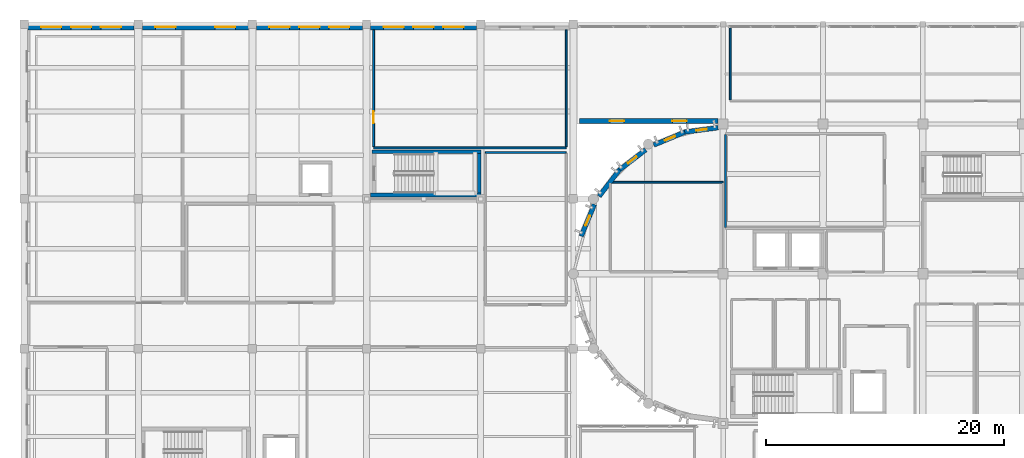
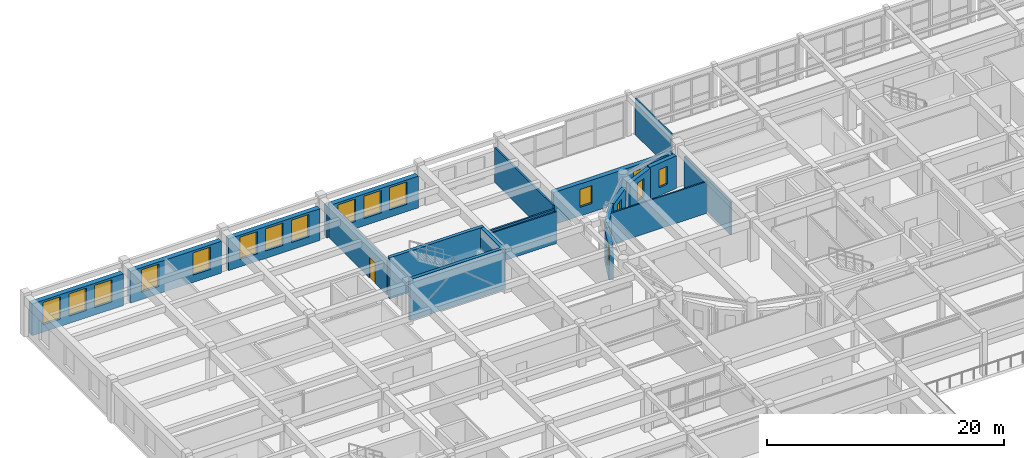
# One storey, part 68 of 92: 20 walls, 17 windows, 1 door, 18 openings.
"""IFC4 building model written with IfcOpenShell, lengths in metres."""

from ifc_helpers import new_model, si_unit, direction, frame, frame_2d, origin, place, context, subcontext, project, spatial, rectangle, extrude, material, layer, layer_set, type_object, element, fill, save


model = new_model("IFC4")

# Units and contexts
model_context = context("Model", 3, precision=1e-05, world=origin(), true_north=direction((0.0, 1.0)))
body_context = subcontext(model_context, "Body", "Model", "MODEL_VIEW")
ifc_project = project(units=[si_unit("LENGTHUNIT", "METRE"), si_unit("AREAUNIT", "SQUARE_METRE"), si_unit("VOLUMEUNIT", "CUBIC_METRE"), si_unit("PLANEANGLEUNIT", "RADIAN"), si_unit("MASSUNIT", "GRAM", prefix="KILO")], contexts=[model_context])

# Site, building, storey
site_placement = place(None, origin())
site = spatial("IfcSite", under=ifc_project, at=site_placement, CompositionType="ELEMENT")
building_placement = place(site_placement, origin())
building = spatial("IfcBuilding", under=site, at=building_placement, Name="Tarnavel Promenade Courthouse", CompositionType="ELEMENT")
storey_placement = place(building_placement, frame((0.0, 0.0, 5.39990234375)))
storey = spatial("IfcBuildingStorey", under=building, at=storey_placement, Name="L02", CompositionType="ELEMENT", Elevation=5.39990234375)

# Wall
ifc_material_1 = material(Name="Acoustic Insulated Gypsum Stud Partition", Category="gypsum")
ifc_layer_1 = layer(ifc_material_1, 0.1650390625)
ifc_layer_set_1 = layer_set([ifc_layer_1], Name="Acoustic Insulated Gypsum Stud Partition")
wall_type_1 = type_object("IfcWallType", Name="Acoustic Insulated Gypsum Stud Partition WL-CHM-165 (165 mm)", PredefinedType="PARTITIONING", material=ifc_layer_set_1)
wall_1_placement = place(storey_placement, frame((45.60009765625, 102.39990234375, 0.0), z_axis=(0.0, 0.0, 1.0), x_axis=(-1.0, 0.0, 0.0)))
element("IfcWall", 1, at=wall_1_placement, inside=storey, type_object=wall_type_1, Name="L02 Jury Room L02 Partition 0284", PredefinedType="PARTITIONING", context=body_context, shape_type="SweptSolid", body=[
    extrude(rectangle(XDim=16.2001953125, YDim=0.1650390625, at=frame_2d((8.10009765625, 0.0))), origin(), (0.0, 0.0, 1.0), 3.280029296875),
])

# Wall, opening, door
wall_2_placement = place(storey_placement, frame((29.39990234375, 102.492431640625, 0.0), z_axis=(0.0, 0.0, 1.0), x_axis=(0.0, 1.0, 0.0)))
wall_2 = element("IfcWall", 2, at=wall_2_placement, inside=storey, type_object=wall_type_1, Name="L02 Jury Room L02 Partition 0285", PredefinedType="PARTITIONING", context=body_context, shape_type="SweptSolid", body=[
    extrude(rectangle(XDim=9.83349609375, YDim=0.1650390625, at=frame_2d((4.916748046875, 0.0))), origin(), (0.0, 0.0, 1.0), 3.580078125),
])
opening_1_placement = place(wall_2_placement, frame((1.976806640625, 0.0, 0.0)))
opening_1 = element("IfcOpeningElement", 3, at=opening_1_placement, cuts=wall_2, Name="Opening ID-03", PredefinedType="OPENING", context=body_context, shape_type="SweptSolid", body=[
    extrude(rectangle(XDim=1.0, YDim=2.14990234375, at=frame_2d((0.5, 1.074951171875))), frame((0.0, 0.092529296875, 0.0), z_axis=(0.0, -1.0, 0.0), x_axis=(1.0, 0.0, 0.0)), (0.0, 0.0, 1.0), 0.18505859375),
])
ifc_material_2 = material(Name="Acoustic Solid-Core Oak Jury Room Door")
door_type = type_object("IfcDoorType", Name="Acoustic Solid-Core Oak Jury Room Door (DR-JRY-1000x2150)", OperationType="NOTDEFINED", PredefinedType="DOOR", material=ifc_material_2)
door_placement = place(opening_1_placement, origin())
door = element("IfcDoor", 4, at=door_placement, inside=storey, type_object=door_type, Name="L02 Jury Room L02 Door 0081", OperationType="SINGLE_SWING_LEFT", OverallHeight=2.14990234375, OverallWidth=1.0, PredefinedType="DOOR", context=body_context, shape_type="SweptSolid", body=[
    extrude(rectangle(XDim=1.0, YDim=2.14990234375, at=frame_2d((0.5, 1.074951171875))), frame((0.0, 0.02490234375, 0.0), z_axis=(0.0, -1.0, 0.0), x_axis=(1.0, 0.0, 0.0)), (0.0, 0.0, 1.0), 0.050048828125),
])
fill(opening_1, door)

# Walls
wall_3_placement = place(storey_placement, frame((45.60009765625, 112.325927734375, 0.0), z_axis=(0.0, 0.0, 1.0), x_axis=(0.0, -1.0, 0.0)))
element("IfcWall", 5, at=wall_3_placement, inside=storey, type_object=wall_type_1, Name="L02 Jury Room L02 Partition 0286", PredefinedType="PARTITIONING", context=body_context, shape_type="SweptSolid", body=[
    extrude(rectangle(XDim=9.83349609375, YDim=0.1650390625, at=frame_2d((4.916748046875, 0.0))), origin(), (0.0, 0.0, 1.0), 3.6201171875),
])
ifc_material_3 = material(Name="Concrete C40/50", Category="concrete")
ifc_layer_2 = layer(ifc_material_3, 0.320068359375)
ifc_layer_set_2 = layer_set([ifc_layer_2], Name="Concrete C40/50")
wall_type_2 = type_object("IfcWallType", Name="Concrete C40/50 WL-SHR-320 (320 mm)", PredefinedType="SHEAR", material=ifc_layer_set_2)
wall_4_placement = place(storey_placement, frame((29.260009765625, 102.06005859375, 0.0), z_axis=(0.0, 0.0, 1.0), x_axis=(1.0, 0.0, 0.0)))
element("IfcWall", 6, at=wall_4_placement, inside=storey, type_object=wall_type_2, Name="L02 ST-07 Shear Core North Wall", PredefinedType="SHEAR", context=body_context, shape_type="SweptSolid", body=[
    extrude(rectangle(XDim=9.179931640625, YDim=0.320068359375, at=frame_2d((4.58984375, 0.0))), origin(), (0.0, 0.0, 1.0), 4.239990234375),
])
wall_5_placement = place(storey_placement, frame((38.43994140625, 98.419921875, 0.0), z_axis=(0.0, 0.0, 1.0), x_axis=(-1.0, 0.0, 0.0)))
element("IfcWall", 7, at=wall_5_placement, inside=storey, type_object=wall_type_2, Name="L02 ST-07 Shear Core South Wall", PredefinedType="SHEAR", context=body_context, shape_type="SweptSolid", body=[
    extrude(rectangle(XDim=9.2900390625, YDim=0.320068359375, at=frame_2d((4.64501953125, 0.0))), origin(), (0.0, 0.0, 1.0), 4.239990234375),
])
wall_6_placement = place(storey_placement, frame((38.280029296875, 101.89990234375, 0.0), z_axis=(0.0, 0.0, 1.0), x_axis=(0.0, -1.0, 0.0)))
element("IfcWall", 8, at=wall_6_placement, inside=storey, type_object=wall_type_2, Name="L02 ST-07 Shear Core East Wall", PredefinedType="SHEAR", context=body_context, shape_type="SweptSolid", body=[
    extrude(rectangle(XDim=3.31982421875, YDim=0.320068359375, at=frame_2d((1.659912109375, 0.0))), origin(), (0.0, 0.0, 1.0), 4.239990234375),
])
ifc_material_4 = material(Name="Double-Stud Acoustic Courtroom Partition Assembly", Category="gypsum")
ifc_layer_3 = layer(ifc_material_4, 0.18505859375)
ifc_layer_set_3 = layer_set([ifc_layer_3], Name="Double-Stud Acoustic Courtroom Partition Assembly")
wall_type_3 = type_object("IfcWallType", Name="Double-Stud Acoustic Courtroom Partition Assembly WL-CRT-185 (185 mm)", PredefinedType="PARTITIONING", material=ifc_layer_set_3)
wall_7_placement = place(storey_placement, frame((59.0, 95.702392578125, 0.0), z_axis=(0.0, 0.0, 1.0), x_axis=(0.0, 1.0, 0.0)))
element("IfcWall", 9, at=wall_7_placement, inside=storey, type_object=wall_type_3, Name="L02 District Motion Hearing Courtroom Partition 0372", PredefinedType="PARTITIONING", context=body_context, shape_type="SweptSolid", body=[
    extrude(rectangle(XDim=7.795166015625, YDim=0.18505859375, at=frame_2d((3.8974609375, 0.0))), origin(), (0.0, 0.0, 1.0), 3.3701171875),
])

# Wall, openings, windows
ifc_material_5 = material(Name="Limestone Ashlar Faced Insulated Brick Masonry", Category="masonry")
ifc_layer_4 = layer(ifc_material_5, 0.43994140625)
ifc_layer_set_4 = layer_set([ifc_layer_4], Name="Limestone Ashlar Faced Insulated Brick Masonry")
wall_type_4 = type_object("IfcWallType", Name="Limestone Ashlar Faced Insulated Brick Masonry WL-EXT-440 (440 mm)", PredefinedType="STANDARD", material=ifc_layer_set_4)
wall_8_placement = place(storey_placement, frame((58.383056640625, 104.64990234375, 0.0), z_axis=(0.0, 0.0, 1.0), x_axis=(-1.0, 0.0, 0.0)))
wall_8 = element("IfcWall", 10, at=wall_8_placement, inside=storey, type_object=wall_type_4, Name="L02 North Foyer South Courtyard Return Wall 0040", PredefinedType="STANDARD", context=body_context, shape_type="SweptSolid", body=[
    extrude(rectangle(XDim=11.68310546875, YDim=0.43994140625, at=frame_2d((5.841552734375, 0.0))), origin(), (0.0, 0.0, 1.0), 3.320068359375),
])
opening_2_placement = place(wall_8_placement, frame((2.657958984375, 0.0, 0.89990234375)))
opening_2 = element("IfcOpeningElement", 11, at=opening_2_placement, cuts=wall_8, Name="Opening W-05", PredefinedType="OPENING", context=body_context, shape_type="SweptSolid", body=[
    extrude(rectangle(XDim=1.199951171875, YDim=1.85009765625, at=frame_2d((0.60009765625, 0.925048828125))), frame((0.0, 0.22998046875, 0.0), z_axis=(0.0, -1.0, 0.0), x_axis=(1.0, 0.0, 0.0)), (0.0, 0.0, 1.0), 0.4599609375),
])
opening_3_placement = place(wall_8_placement, frame((7.907958984375, 0.0, 0.89990234375)))
opening_3 = element("IfcOpeningElement", 12, at=opening_3_placement, cuts=wall_8, Name="Opening W-05", PredefinedType="OPENING", context=body_context, shape_type="SweptSolid", body=[
    extrude(rectangle(XDim=1.199951171875, YDim=1.85009765625, at=frame_2d((0.60009765625, 0.925048828125))), frame((0.0, 0.22998046875, 0.0), z_axis=(0.0, -1.0, 0.0), x_axis=(1.0, 0.0, 0.0)), (0.0, 0.0, 1.0), 0.4599609375),
])
ifc_material_6 = material(Name="Triple Low-E Glazed Bronze-Clad Window Assembly")
window_type_1 = type_object("IfcWindowType", Name="Triple-Glazed Bronze-Clad Timber-Aluminium WIN-CHM-1200x1850", PartitioningType="SINGLE_PANEL", PredefinedType="WINDOW", material=ifc_material_6)
window_1_placement = place(opening_2_placement, origin())
window_1 = element("IfcWindow", 13, at=window_1_placement, inside=storey, type_object=window_type_1, Name="L02 Exterior Window 0017", OverallHeight=1.85009765625, OverallWidth=1.199951171875, PartitioningType="SINGLE_PANEL", PredefinedType="WINDOW", context=body_context, shape_type="SweptSolid", body=[
    extrude(rectangle(XDim=1.199951171875, YDim=1.85009765625, at=frame_2d((0.60009765625, 0.925048828125))), frame((0.0, 0.030029296875, 0.0), z_axis=(0.0, -1.0, 0.0), x_axis=(1.0, 0.0, 0.0)), (0.0, 0.0, 1.0), 0.06005859375),
])
fill(opening_2, window_1)
window_2_placement = place(opening_3_placement, origin())
window_2 = element("IfcWindow", 14, at=window_2_placement, inside=storey, type_object=window_type_1, Name="L02 Exterior Window 0018", OverallHeight=1.85009765625, OverallWidth=1.199951171875, PartitioningType="SINGLE_PANEL", PredefinedType="WINDOW", context=body_context, shape_type="SweptSolid", body=[
    extrude(rectangle(XDim=1.199951171875, YDim=1.85009765625, at=frame_2d((0.60009765625, 0.925048828125))), frame((0.0, 0.030029296875, 0.0), z_axis=(0.0, -1.0, 0.0), x_axis=(1.0, 0.0, 0.0)), (0.0, 0.0, 1.0), 0.06005859375),
])
fill(opening_3, window_2)

ifc_layer_5 = layer(ifc_material_5, 0.47998046875)
ifc_layer_set_5 = layer_set([ifc_layer_5], Name="Limestone Ashlar Faced Insulated Brick Masonry")
wall_type_5 = type_object("IfcWallType", Name="Limestone Ashlar Faced Insulated Brick Masonry WL-EXT-480 (480 mm)", PredefinedType="STANDARD", material=ifc_layer_set_5)
wall_9_placement = place(storey_placement, frame((0.342041015625, 112.56005859375, 0.0), z_axis=(0.0, 0.0, 1.0), x_axis=(1.0, 0.0, 0.0)))
wall_9 = element("IfcWall", 15, at=wall_9_placement, inside=storey, type_object=wall_type_5, Name="L02 Trial Wing North Ashlar Facade 0281", PredefinedType="STANDARD", context=body_context, shape_type="SweptSolid", body=[
    extrude(rectangle(XDim=8.916015625, YDim=0.47998046875, at=frame_2d((4.4580078125, 0.0))), origin(), (0.0, 0.0, 1.0), 3.280029296875),
])
opening_4_placement = place(wall_9_placement, frame((1.0947265625, 0.0, 0.760009765625)))
opening_4 = element("IfcOpeningElement", 16, at=opening_4_placement, cuts=wall_9, Name="Opening W-01", PredefinedType="OPENING", context=body_context, shape_type="SweptSolid", body=[
    extrude(rectangle(XDim=1.699951171875, YDim=2.300048828125, at=frame_2d((0.85009765625, 1.14990234375))), frame((0.0, 0.25, 0.0), z_axis=(0.0, -1.0, 0.0), x_axis=(1.0, 0.0, 0.0)), (0.0, 0.0, 1.0), 0.5),
])
opening_5_placement = place(wall_9_placement, frame((3.60791015625, 0.0, 0.760009765625)))
opening_5 = element("IfcOpeningElement", 17, at=opening_5_placement, cuts=wall_9, Name="Opening W-01", PredefinedType="OPENING", context=body_context, shape_type="SweptSolid", body=[
    extrude(rectangle(XDim=1.699951171875, YDim=2.300048828125, at=frame_2d((0.85009765625, 1.14990234375))), frame((0.0, 0.25, 0.0), z_axis=(0.0, -1.0, 0.0), x_axis=(1.0, 0.0, 0.0)), (0.0, 0.0, 1.0), 0.5),
])
opening_6_placement = place(wall_9_placement, frame((6.121337890625, 0.0, 0.760009765625)))
opening_6 = element("IfcOpeningElement", 18, at=opening_6_placement, cuts=wall_9, Name="Opening W-01", PredefinedType="OPENING", context=body_context, shape_type="SweptSolid", body=[
    extrude(rectangle(XDim=1.699951171875, YDim=2.300048828125, at=frame_2d((0.85009765625, 1.14990234375))), frame((0.0, 0.25, 0.0), z_axis=(0.0, -1.0, 0.0), x_axis=(1.0, 0.0, 0.0)), (0.0, 0.0, 1.0), 0.5),
])
window_type_2 = type_object("IfcWindowType", Name="Triple-Glazed Bronze-Clad Timber-Aluminium WIN-CRT-1700x2300", PartitioningType="SINGLE_PANEL", PredefinedType="WINDOW", material=ifc_material_6)
window_3_placement = place(opening_4_placement, origin())
window_3 = element("IfcWindow", 19, at=window_3_placement, inside=storey, type_object=window_type_2, Name="L02 Exterior Window 0251", OverallHeight=2.300048828125, OverallWidth=1.699951171875, PartitioningType="SINGLE_PANEL", PredefinedType="WINDOW", context=body_context, shape_type="SweptSolid", body=[
    extrude(rectangle(XDim=1.699951171875, YDim=2.300048828125, at=frame_2d((0.85009765625, 1.14990234375))), frame((0.0, 0.030029296875, 0.0), z_axis=(0.0, -1.0, 0.0), x_axis=(1.0, 0.0, 0.0)), (0.0, 0.0, 1.0), 0.06005859375),
])
fill(opening_4, window_3)
window_4_placement = place(opening_5_placement, origin())
window_4 = element("IfcWindow", 20, at=window_4_placement, inside=storey, type_object=window_type_2, Name="L02 Exterior Window 0252", OverallHeight=2.300048828125, OverallWidth=1.699951171875, PartitioningType="SINGLE_PANEL", PredefinedType="WINDOW", context=body_context, shape_type="SweptSolid", body=[
    extrude(rectangle(XDim=1.699951171875, YDim=2.300048828125, at=frame_2d((0.85009765625, 1.14990234375))), frame((0.0, 0.030029296875, 0.0), z_axis=(0.0, -1.0, 0.0), x_axis=(1.0, 0.0, 0.0)), (0.0, 0.0, 1.0), 0.06005859375),
])
fill(opening_5, window_4)
window_5_placement = place(opening_6_placement, origin())
window_5 = element("IfcWindow", 21, at=window_5_placement, inside=storey, type_object=window_type_2, Name="L02 Exterior Window 0253", OverallHeight=2.300048828125, OverallWidth=1.699951171875, PartitioningType="SINGLE_PANEL", PredefinedType="WINDOW", context=body_context, shape_type="SweptSolid", body=[
    extrude(rectangle(XDim=1.699951171875, YDim=2.300048828125, at=frame_2d((0.85009765625, 1.14990234375))), frame((0.0, 0.030029296875, 0.0), z_axis=(0.0, -1.0, 0.0), x_axis=(1.0, 0.0, 0.0)), (0.0, 0.0, 1.0), 0.06005859375),
])
fill(opening_6, window_5)

wall_10_placement = place(storey_placement, frame((9.94189453125, 112.56005859375, 0.0), z_axis=(0.0, 0.0, 1.0), x_axis=(1.0, 0.0, 0.0)))
wall_10 = element("IfcWall", 22, at=wall_10_placement, inside=storey, type_object=wall_type_5, Name="L02 Trial Wing North Ashlar Facade 0282", PredefinedType="STANDARD", context=body_context, shape_type="SweptSolid", body=[
    extrude(rectangle(XDim=8.916015625, YDim=0.47998046875, at=frame_2d((4.4580078125, 0.0))), origin(), (0.0, 0.0, 1.0), 3.280029296875),
])
opening_7_placement = place(wall_10_placement, frame((1.0947265625, 0.0, 0.760009765625)))
opening_7 = element("IfcOpeningElement", 23, at=opening_7_placement, cuts=wall_10, Name="Opening W-01", PredefinedType="OPENING", context=body_context, shape_type="SweptSolid", body=[
    extrude(rectangle(XDim=1.699951171875, YDim=2.300048828125, at=frame_2d((0.85009765625, 1.14990234375))), frame((0.0, 0.25, 0.0), z_axis=(0.0, -1.0, 0.0), x_axis=(1.0, 0.0, 0.0)), (0.0, 0.0, 1.0), 0.5),
])
opening_8_placement = place(wall_10_placement, frame((6.121337890625, 0.0, 0.760009765625)))
opening_8 = element("IfcOpeningElement", 24, at=opening_8_placement, cuts=wall_10, Name="Opening W-01", PredefinedType="OPENING", context=body_context, shape_type="SweptSolid", body=[
    extrude(rectangle(XDim=1.699951171875, YDim=2.300048828125, at=frame_2d((0.85009765625, 1.14990234375))), frame((0.0, 0.25, 0.0), z_axis=(0.0, -1.0, 0.0), x_axis=(1.0, 0.0, 0.0)), (0.0, 0.0, 1.0), 0.5),
])
window_6_placement = place(opening_7_placement, origin())
window_6 = element("IfcWindow", 25, at=window_6_placement, inside=storey, type_object=window_type_2, Name="L02 Exterior Window 0254", OverallHeight=2.300048828125, OverallWidth=1.699951171875, PartitioningType="SINGLE_PANEL", PredefinedType="WINDOW", context=body_context, shape_type="SweptSolid", body=[
    extrude(rectangle(XDim=1.699951171875, YDim=2.300048828125, at=frame_2d((0.85009765625, 1.14990234375))), frame((0.0, 0.030029296875, 0.0), z_axis=(0.0, -1.0, 0.0), x_axis=(1.0, 0.0, 0.0)), (0.0, 0.0, 1.0), 0.06005859375),
])
fill(opening_7, window_6)
window_7_placement = place(opening_8_placement, origin())
window_7 = element("IfcWindow", 26, at=window_7_placement, inside=storey, type_object=window_type_2, Name="L02 Exterior Window 0255", OverallHeight=2.300048828125, OverallWidth=1.699951171875, PartitioningType="SINGLE_PANEL", PredefinedType="WINDOW", context=body_context, shape_type="SweptSolid", body=[
    extrude(rectangle(XDim=1.699951171875, YDim=2.300048828125, at=frame_2d((0.85009765625, 1.14990234375))), frame((0.0, 0.030029296875, 0.0), z_axis=(0.0, -1.0, 0.0), x_axis=(1.0, 0.0, 0.0)), (0.0, 0.0, 1.0), 0.06005859375),
])
fill(opening_8, window_7)

wall_11_placement = place(storey_placement, frame((19.5419921875, 112.56005859375, 0.0), z_axis=(0.0, 0.0, 1.0), x_axis=(1.0, 0.0, 0.0)))
wall_11 = element("IfcWall", 27, at=wall_11_placement, inside=storey, type_object=wall_type_5, Name="L02 Trial Wing North Ashlar Facade 0283", PredefinedType="STANDARD", context=body_context, shape_type="SweptSolid", body=[
    extrude(rectangle(XDim=8.916015625, YDim=0.47998046875, at=frame_2d((4.4580078125, 0.0))), origin(), (0.0, 0.0, 1.0), 3.280029296875),
])
opening_9_placement = place(wall_11_placement, frame((1.0947265625, 0.0, 0.760009765625)))
opening_9 = element("IfcOpeningElement", 28, at=opening_9_placement, cuts=wall_11, Name="Opening W-01", PredefinedType="OPENING", context=body_context, shape_type="SweptSolid", body=[
    extrude(rectangle(XDim=1.699951171875, YDim=2.300048828125, at=frame_2d((0.85009765625, 1.14990234375))), frame((0.0, 0.25, 0.0), z_axis=(0.0, -1.0, 0.0), x_axis=(1.0, 0.0, 0.0)), (0.0, 0.0, 1.0), 0.5),
])
opening_10_placement = place(wall_11_placement, frame((3.60791015625, 0.0, 0.760009765625)))
opening_10 = element("IfcOpeningElement", 29, at=opening_10_placement, cuts=wall_11, Name="Opening W-01", PredefinedType="OPENING", context=body_context, shape_type="SweptSolid", body=[
    extrude(rectangle(XDim=1.699951171875, YDim=2.300048828125, at=frame_2d((0.85009765625, 1.14990234375))), frame((0.0, 0.25, 0.0), z_axis=(0.0, -1.0, 0.0), x_axis=(1.0, 0.0, 0.0)), (0.0, 0.0, 1.0), 0.5),
])
opening_11_placement = place(wall_11_placement, frame((6.121337890625, 0.0, 0.760009765625)))
opening_11 = element("IfcOpeningElement", 30, at=opening_11_placement, cuts=wall_11, Name="Opening W-01", PredefinedType="OPENING", context=body_context, shape_type="SweptSolid", body=[
    extrude(rectangle(XDim=1.699951171875, YDim=2.300048828125, at=frame_2d((0.85009765625, 1.14990234375))), frame((0.0, 0.25, 0.0), z_axis=(0.0, -1.0, 0.0), x_axis=(1.0, 0.0, 0.0)), (0.0, 0.0, 1.0), 0.5),
])
window_8_placement = place(opening_9_placement, origin())
window_8 = element("IfcWindow", 31, at=window_8_placement, inside=storey, type_object=window_type_2, Name="L02 Exterior Window 0256", OverallHeight=2.300048828125, OverallWidth=1.699951171875, PartitioningType="SINGLE_PANEL", PredefinedType="WINDOW", context=body_context, shape_type="SweptSolid", body=[
    extrude(rectangle(XDim=1.699951171875, YDim=2.300048828125, at=frame_2d((0.85009765625, 1.14990234375))), frame((0.0, 0.030029296875, 0.0), z_axis=(0.0, -1.0, 0.0), x_axis=(1.0, 0.0, 0.0)), (0.0, 0.0, 1.0), 0.06005859375),
])
fill(opening_9, window_8)
window_9_placement = place(opening_10_placement, origin())
window_9 = element("IfcWindow", 32, at=window_9_placement, inside=storey, type_object=window_type_2, Name="L02 Exterior Window 0257", OverallHeight=2.300048828125, OverallWidth=1.699951171875, PartitioningType="SINGLE_PANEL", PredefinedType="WINDOW", context=body_context, shape_type="SweptSolid", body=[
    extrude(rectangle(XDim=1.699951171875, YDim=2.300048828125, at=frame_2d((0.85009765625, 1.14990234375))), frame((0.0, 0.030029296875, 0.0), z_axis=(0.0, -1.0, 0.0), x_axis=(1.0, 0.0, 0.0)), (0.0, 0.0, 1.0), 0.06005859375),
])
fill(opening_10, window_9)
window_10_placement = place(opening_11_placement, origin())
window_10 = element("IfcWindow", 33, at=window_10_placement, inside=storey, type_object=window_type_2, Name="L02 Exterior Window 0258", OverallHeight=2.300048828125, OverallWidth=1.699951171875, PartitioningType="SINGLE_PANEL", PredefinedType="WINDOW", context=body_context, shape_type="SweptSolid", body=[
    extrude(rectangle(XDim=1.699951171875, YDim=2.300048828125, at=frame_2d((0.85009765625, 1.14990234375))), frame((0.0, 0.030029296875, 0.0), z_axis=(0.0, -1.0, 0.0), x_axis=(1.0, 0.0, 0.0)), (0.0, 0.0, 1.0), 0.06005859375),
])
fill(opening_11, window_10)

wall_12_placement = place(storey_placement, frame((29.14208984375, 112.56005859375, 0.0), z_axis=(0.0, 0.0, 1.0), x_axis=(1.0, 0.0, 0.0)))
wall_12 = element("IfcWall", 34, at=wall_12_placement, inside=storey, type_object=wall_type_5, Name="L02 Trial Wing North Ashlar Facade 0284", PredefinedType="STANDARD", context=body_context, shape_type="SweptSolid", body=[
    extrude(rectangle(XDim=8.916015625, YDim=0.47998046875, at=frame_2d((4.4580078125, 0.0))), origin(), (0.0, 0.0, 1.0), 3.280029296875),
])
opening_12_placement = place(wall_12_placement, frame((1.0947265625, 0.0, 0.760009765625)))
opening_12 = element("IfcOpeningElement", 35, at=opening_12_placement, cuts=wall_12, Name="Opening W-01", PredefinedType="OPENING", context=body_context, shape_type="SweptSolid", body=[
    extrude(rectangle(XDim=1.699951171875, YDim=2.300048828125, at=frame_2d((0.85009765625, 1.14990234375))), frame((0.0, 0.25, 0.0), z_axis=(0.0, -1.0, 0.0), x_axis=(1.0, 0.0, 0.0)), (0.0, 0.0, 1.0), 0.5),
])
opening_13_placement = place(wall_12_placement, frame((3.60791015625, 0.0, 0.760009765625)))
opening_13 = element("IfcOpeningElement", 36, at=opening_13_placement, cuts=wall_12, Name="Opening W-01", PredefinedType="OPENING", context=body_context, shape_type="SweptSolid", body=[
    extrude(rectangle(XDim=1.699951171875, YDim=2.300048828125, at=frame_2d((0.85009765625, 1.14990234375))), frame((0.0, 0.25, 0.0), z_axis=(0.0, -1.0, 0.0), x_axis=(1.0, 0.0, 0.0)), (0.0, 0.0, 1.0), 0.5),
])
opening_14_placement = place(wall_12_placement, frame((6.121337890625, 0.0, 0.760009765625)))
opening_14 = element("IfcOpeningElement", 37, at=opening_14_placement, cuts=wall_12, Name="Opening W-01", PredefinedType="OPENING", context=body_context, shape_type="SweptSolid", body=[
    extrude(rectangle(XDim=1.699951171875, YDim=2.300048828125, at=frame_2d((0.85009765625, 1.14990234375))), frame((0.0, 0.25, 0.0), z_axis=(0.0, -1.0, 0.0), x_axis=(1.0, 0.0, 0.0)), (0.0, 0.0, 1.0), 0.5),
])
window_11_placement = place(opening_12_placement, origin())
window_11 = element("IfcWindow", 38, at=window_11_placement, inside=storey, type_object=window_type_2, Name="L02 Exterior Window 0259", OverallHeight=2.300048828125, OverallWidth=1.699951171875, PartitioningType="SINGLE_PANEL", PredefinedType="WINDOW", context=body_context, shape_type="SweptSolid", body=[
    extrude(rectangle(XDim=1.699951171875, YDim=2.300048828125, at=frame_2d((0.85009765625, 1.14990234375))), frame((0.0, 0.030029296875, 0.0), z_axis=(0.0, -1.0, 0.0), x_axis=(1.0, 0.0, 0.0)), (0.0, 0.0, 1.0), 0.06005859375),
])
fill(opening_12, window_11)
window_12_placement = place(opening_13_placement, origin())
window_12 = element("IfcWindow", 39, at=window_12_placement, inside=storey, type_object=window_type_2, Name="L02 Exterior Window 0260", OverallHeight=2.300048828125, OverallWidth=1.699951171875, PartitioningType="SINGLE_PANEL", PredefinedType="WINDOW", context=body_context, shape_type="SweptSolid", body=[
    extrude(rectangle(XDim=1.699951171875, YDim=2.300048828125, at=frame_2d((0.85009765625, 1.14990234375))), frame((0.0, 0.030029296875, 0.0), z_axis=(0.0, -1.0, 0.0), x_axis=(1.0, 0.0, 0.0)), (0.0, 0.0, 1.0), 0.06005859375),
])
fill(opening_13, window_12)
window_13_placement = place(opening_14_placement, origin())
window_13 = element("IfcWindow", 40, at=window_13_placement, inside=storey, type_object=window_type_2, Name="L02 Exterior Window 0261", OverallHeight=2.300048828125, OverallWidth=1.699951171875, PartitioningType="SINGLE_PANEL", PredefinedType="WINDOW", context=body_context, shape_type="SweptSolid", body=[
    extrude(rectangle(XDim=1.699951171875, YDim=2.300048828125, at=frame_2d((0.85009765625, 1.14990234375))), frame((0.0, 0.030029296875, 0.0), z_axis=(0.0, -1.0, 0.0), x_axis=(1.0, 0.0, 0.0)), (0.0, 0.0, 1.0), 0.06005859375),
])
fill(opening_14, window_13)

# Walls
ifc_material_7 = material(Name="Metal-Stud Acoustic Gypsum Partition", Category="gypsum")
ifc_layer_6 = layer(ifc_material_7, 0.135009765625)
ifc_layer_set_6 = layer_set([ifc_layer_6], Name="Metal-Stud Acoustic Gypsum Partition")
wall_type_6 = type_object("IfcWallType", Name="Metal-Stud Acoustic Gypsum Partition WL-OFF-135 (135 mm)", PredefinedType="PARTITIONING", material=ifc_layer_set_6)
wall_13_placement = place(storey_placement, frame((38.800048828125, 102.0, 0.0), z_axis=(0.0, 0.0, 1.0), x_axis=(1.0, 0.0, 0.0)))
element("IfcWall", 41, at=wall_13_placement, inside=storey, type_object=wall_type_6, Name="L02 L02 Witness Waiting Room Partition 0287", PredefinedType="PARTITIONING", context=body_context, shape_type="SweptSolid", body=[
    extrude(rectangle(XDim=6.800048828125, YDim=0.135009765625, at=frame_2d((3.39990234375, 0.0))), origin(), (0.0, 0.0, 1.0), 3.280029296875),
])
wall_14_placement = place(storey_placement, frame((59.39990234375, 106.427490234375, 0.0), z_axis=(0.0, 0.0, 1.0), x_axis=(0.0, 1.0, 0.0)))
element("IfcWall", 42, at=wall_14_placement, inside=storey, type_object=wall_type_6, Name="L02 First Balcony Case Management Clerks' Office Partition 0351", PredefinedType="PARTITIONING", context=body_context, shape_type="SweptSolid", body=[
    extrude(rectangle(XDim=6.0625, YDim=0.135009765625, at=frame_2d((3.03125, 0.0))), origin(), (0.0, 0.0, 1.0), 3.77001953125),
])
wall_15_placement = place(storey_placement, frame((49.300048828125, 99.5, 0.0), z_axis=(0.0, 0.0, 1.0), x_axis=(1.0, 0.0, 0.0)))
element("IfcWall", 43, at=wall_15_placement, inside=storey, type_object=wall_type_6, Name="L02 L02 West Drum Rotunda Meeting North Partition 0394", PredefinedType="PARTITIONING", context=body_context, shape_type="SweptSolid", body=[
    extrude(rectangle(XDim=9.5, YDim=0.135009765625, at=frame_2d((4.75, 0.0))), origin(), (0.0, 0.0, 1.0), 3.27001953125),
])

# Wall, opening, window
ifc_material_8 = material(Name="Patinated Copper-Bronze Insulated Drum Wall Assembly", Category="masonry")
ifc_layer_7 = layer(ifc_material_8, 0.39501953125)
ifc_layer_set_7 = layer_set([ifc_layer_7], Name="Patinated Copper-Bronze Insulated Drum Wall Assembly")
wall_type_7 = type_object("IfcWallType", Name="Patinated Copper-Bronze Insulated Drum Wall Assembly WL-DRUM-395 (395 mm)", PredefinedType="ELEMENTEDWALL", material=ifc_layer_set_7)
wall_16_placement = place(storey_placement, frame((58.37158203125, 104.09130859375, 0.0), z_axis=(0.0, 0.0, 1.0), x_axis=(-0.991455178228, -0.130447803989, 0.0)))
wall_16 = element("IfcWall", 44, at=wall_16_placement, inside=storey, type_object=wall_type_7, Name="L02 W Copper Drum Chord Wall 01 0042", PredefinedType="ELEMENTEDWALL", context=body_context, shape_type="SweptSolid", body=[
    extrude(rectangle(XDim=2.82421875, YDim=0.39501953125, at=frame_2d((1.412109375, 0.0))), origin(), (0.0, 0.0, 1.0), 3.3701171875),
])
opening_15_placement = place(wall_16_placement, frame((0.962158203125, 0.0, 0.85009765625)))
opening_15 = element("IfcOpeningElement", 45, at=opening_15_placement, cuts=wall_16, Name="Opening W-08", PredefinedType="OPENING", context=body_context, shape_type="SweptSolid", body=[
    extrude(rectangle(XDim=0.89990234375, YDim=1.85009765625, at=frame_2d((0.449951171875, 0.925048828125))), frame((0.0, 0.20751953125, 0.0), z_axis=(0.0, -1.0, 0.0), x_axis=(1.0, 0.0, 0.0)), (0.0, 0.0, 1.0), 0.4150390625),
])
window_type_3 = type_object("IfcWindowType", Name="Triple-Glazed Bronze-Clad Timber-Aluminium WIN-DRM-0900x1850", PartitioningType="SINGLE_PANEL", PredefinedType="WINDOW", material=ifc_material_6)
window_14_placement = place(opening_15_placement, origin())
window_14 = element("IfcWindow", 46, at=window_14_placement, inside=storey, type_object=window_type_3, Name="L02 Exterior Window 0020", OverallHeight=1.85009765625, OverallWidth=0.89990234375, PartitioningType="SINGLE_PANEL", PredefinedType="WINDOW", context=body_context, shape_type="SweptSolid", body=[
    extrude(rectangle(XDim=0.89990234375, YDim=1.85009765625, at=frame_2d((0.449951171875, 0.925048828125))), frame((0.0, 0.030029296875, 0.0), z_axis=(0.0, -1.0, 0.0), x_axis=(1.0, 0.0, 0.0)), (0.0, 0.0, 1.0), 0.06005859375),
])
fill(opening_15, window_14)

wall_17_placement = place(storey_placement, frame((55.634521484375, 103.73974609375, 0.0), z_axis=(0.0, 0.0, 1.0), x_axis=(-0.923866622923, -0.382714597381, 0.0)))
wall_17 = element("IfcWall", 47, at=wall_17_placement, inside=storey, type_object=wall_type_7, Name="L02 W Copper Drum Chord Wall 02 0043", PredefinedType="ELEMENTEDWALL", context=body_context, shape_type="SweptSolid", body=[
    extrude(rectangle(XDim=2.892333984375, YDim=0.39501953125, at=frame_2d((1.4462890625, 0.0))), origin(), (0.0, 0.0, 1.0), 3.27001953125),
])
opening_16_placement = place(wall_17_placement, frame((0.962158203125, 0.0, 0.85009765625)))
opening_16 = element("IfcOpeningElement", 48, at=opening_16_placement, cuts=wall_17, Name="Opening W-08", PredefinedType="OPENING", context=body_context, shape_type="SweptSolid", body=[
    extrude(rectangle(XDim=0.89990234375, YDim=1.85009765625, at=frame_2d((0.449951171875, 0.925048828125))), frame((0.0, 0.20751953125, 0.0), z_axis=(0.0, -1.0, 0.0), x_axis=(1.0, 0.0, 0.0)), (0.0, 0.0, 1.0), 0.4150390625),
])
window_15_placement = place(opening_16_placement, origin())
window_15 = element("IfcWindow", 49, at=window_15_placement, inside=storey, type_object=window_type_3, Name="L02 Exterior Window 0021", OverallHeight=1.85009765625, OverallWidth=0.89990234375, PartitioningType="SINGLE_PANEL", PredefinedType="WINDOW", context=body_context, shape_type="SweptSolid", body=[
    extrude(rectangle(XDim=0.89990234375, YDim=1.85009765625, at=frame_2d((0.449951171875, 0.925048828125))), frame((0.0, 0.030029296875, 0.0), z_axis=(0.0, -1.0, 0.0), x_axis=(1.0, 0.0, 0.0)), (0.0, 0.0, 1.0), 0.06005859375),
])
fill(opening_16, window_15)

wall_18_placement = place(storey_placement, frame((52.283203125, 102.23046875, 0.0), z_axis=(0.0, 0.0, 1.0), x_axis=(-0.793343310116, -0.608774500364, 0.0)))
wall_18 = element("IfcWall", 50, at=wall_18_placement, inside=storey, type_object=wall_type_7, Name="L02 W Copper Drum Chord Wall 03 0044", PredefinedType="ELEMENTEDWALL", context=body_context, shape_type="SweptSolid", body=[
    extrude(rectangle(XDim=2.82421875, YDim=0.39501953125, at=frame_2d((1.412109375, 0.0))), origin(), (0.0, 0.0, 1.0), 3.27001953125),
])
opening_17_placement = place(wall_18_placement, frame((0.962158203125, 0.0, 0.85009765625)))
opening_17 = element("IfcOpeningElement", 51, at=opening_17_placement, cuts=wall_18, Name="Opening W-08", PredefinedType="OPENING", context=body_context, shape_type="SweptSolid", body=[
    extrude(rectangle(XDim=0.89990234375, YDim=1.85009765625, at=frame_2d((0.449951171875, 0.925048828125))), frame((0.0, 0.20751953125, 0.0), z_axis=(0.0, -1.0, 0.0), x_axis=(1.0, 0.0, 0.0)), (0.0, 0.0, 1.0), 0.4150390625),
])
window_16_placement = place(opening_17_placement, origin())
window_16 = element("IfcWindow", 52, at=window_16_placement, inside=storey, type_object=window_type_3, Name="L02 Exterior Window 0022", OverallHeight=1.85009765625, OverallWidth=0.89990234375, PartitioningType="SINGLE_PANEL", PredefinedType="WINDOW", context=body_context, shape_type="SweptSolid", body=[
    extrude(rectangle(XDim=0.89990234375, YDim=1.85009765625, at=frame_2d((0.449951171875, 0.925048828125))), frame((0.0, 0.030029296875, 0.0), z_axis=(0.0, -1.0, 0.0), x_axis=(1.0, 0.0, 0.0)), (0.0, 0.0, 1.0), 0.06005859375),
])
fill(opening_17, window_16)

# Wall
wall_19_placement = place(storey_placement, frame((50.0888671875, 100.557373046875, 0.0), z_axis=(0.0, 0.0, 1.0), x_axis=(-0.608787157184, -0.793333597705, 0.0)))
element("IfcWall", 53, at=wall_19_placement, inside=storey, type_object=wall_type_7, Name="L02 W Copper Drum Chord Wall 04 0045", PredefinedType="ELEMENTEDWALL", context=body_context, shape_type="SweptSolid", body=[
    extrude(rectangle(XDim=2.824462890625, YDim=0.39501953125, at=frame_2d((1.412109375, 0.0))), origin(), (0.0, 0.0, 1.0), 3.3701171875),
])

# Wall, opening, window
wall_20_placement = place(storey_placement, frame((47.967041015625, 97.637451171875, 0.0), z_axis=(0.0, 0.0, 1.0), x_axis=(-0.382672391391, -0.923884105755, 0.0)))
wall_20 = element("IfcWall", 54, at=wall_20_placement, inside=storey, type_object=wall_type_7, Name="L02 W Copper Drum Chord Wall 05 0046", PredefinedType="ELEMENTEDWALL", context=body_context, shape_type="SweptSolid", body=[
    extrude(rectangle(XDim=2.89208984375, YDim=0.39501953125, at=frame_2d((1.446044921875, 0.0))), origin(), (0.0, 0.0, 1.0), 3.3701171875),
])
opening_18_placement = place(wall_20_placement, frame((1.030029296875, 0.0, 0.85009765625)))
opening_18 = element("IfcOpeningElement", 55, at=opening_18_placement, cuts=wall_20, Name="Opening W-08", PredefinedType="OPENING", context=body_context, shape_type="SweptSolid", body=[
    extrude(rectangle(XDim=0.89990234375, YDim=1.85009765625, at=frame_2d((0.449951171875, 0.925048828125))), frame((0.0, 0.20751953125, 0.0), z_axis=(0.0, -1.0, 0.0), x_axis=(1.0, 0.0, 0.0)), (0.0, 0.0, 1.0), 0.4150390625),
])
window_17_placement = place(opening_18_placement, origin())
window_17 = element("IfcWindow", 56, at=window_17_placement, inside=storey, type_object=window_type_3, Name="L02 Exterior Window 0023", OverallHeight=1.85009765625, OverallWidth=0.89990234375, PartitioningType="SINGLE_PANEL", PredefinedType="WINDOW", context=body_context, shape_type="SweptSolid", body=[
    extrude(rectangle(XDim=0.89990234375, YDim=1.85009765625, at=frame_2d((0.449951171875, 0.925048828125))), frame((0.0, 0.030029296875, 0.0), z_axis=(0.0, -1.0, 0.0), x_axis=(1.0, 0.0, 0.0)), (0.0, 0.0, 1.0), 0.06005859375),
])
fill(opening_18, window_17)

save(model, "model.ifc")
